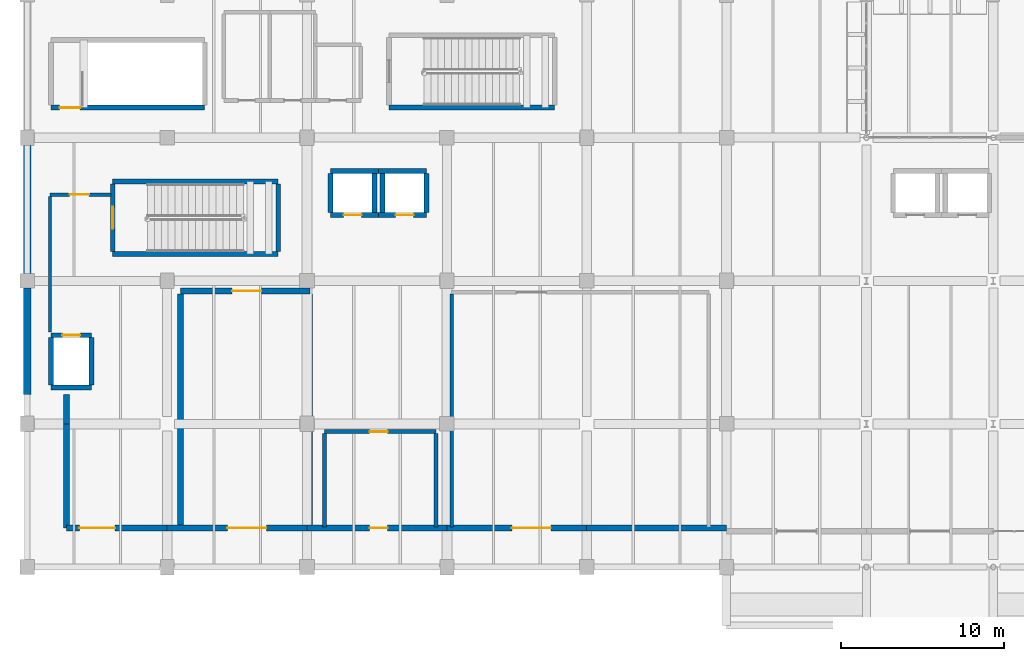
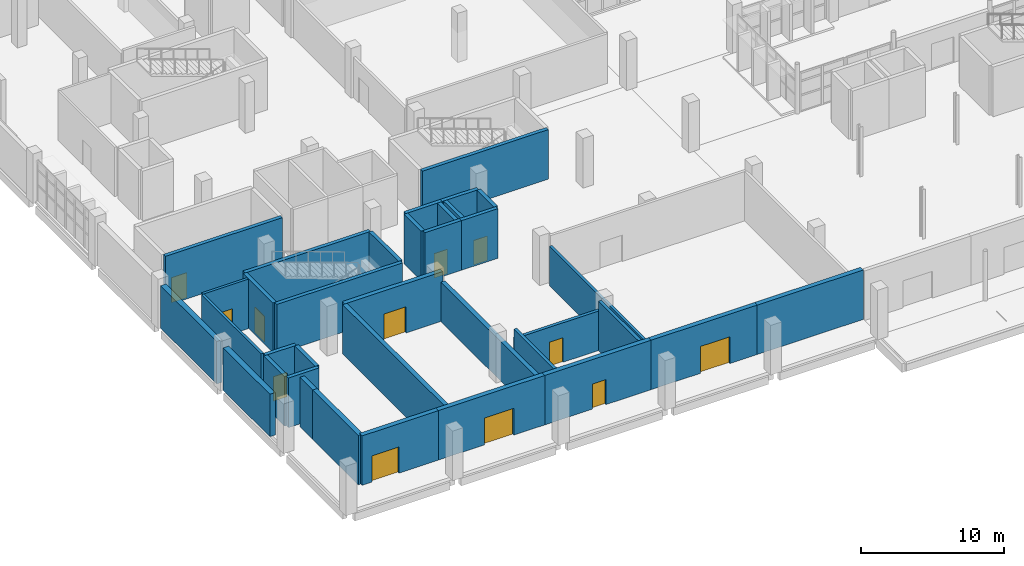
# One storey, part 57 of 76: 36 walls, 12 doors, 12 openings.
"""IFC4 building model written with IfcOpenShell, lengths in metres."""

from ifc_helpers import new_model, si_unit, direction, frame, frame_2d, origin, place, context, subcontext, project, spatial, rectangle, extrude, material, layer, layer_set, type_object, element, fill, save


model = new_model("IFC4")

# Units and contexts
model_context = context("Model", 3, precision=1e-05, world=origin(), true_north=direction((0.0, 1.0)))
body_context = subcontext(model_context, "Body", "Model", "MODEL_VIEW")
ifc_project = project(units=[si_unit("LENGTHUNIT", "METRE"), si_unit("AREAUNIT", "SQUARE_METRE"), si_unit("VOLUMEUNIT", "CUBIC_METRE"), si_unit("PLANEANGLEUNIT", "RADIAN"), si_unit("MASSUNIT", "GRAM", prefix="KILO")], contexts=[model_context])

# Site, building, storey
site_placement = place(None, origin())
site = spatial("IfcSite", under=ifc_project, at=site_placement, CompositionType="ELEMENT")
building_placement = place(site_placement, origin())
building = spatial("IfcBuilding", under=site, at=building_placement, Name="Varnakota Cinema and Media Centre", CompositionType="ELEMENT")
storey_placement = place(building_placement, origin())
storey = spatial("IfcBuildingStorey", under=building, at=storey_placement, Name="L00", CompositionType="ELEMENT", Elevation=0.0)

# Wall
ifc_material_1 = material(Name="Autoclaved aerated concrete blockwork", Category="masonry")
ifc_layer_1 = layer(ifc_material_1, 0.2099609375)
ifc_layer_set_1 = layer_set([ifc_layer_1], Name="Autoclaved aerated concrete blockwork")
wall_type_1 = type_object("IfcWallType", Name="W-ACOUST-210", PredefinedType="PARTITIONING", material=ifc_layer_set_1)
wall_1_placement = place(storey_placement, frame((1.39501953125, 14.449951171875, 0.0), z_axis=(0.0, 0.0, 1.0), x_axis=(0.0, 1.0, 0.0)))
element("IfcWall", 1, at=wall_1_placement, inside=storey, type_object=wall_type_1, Name="L00 RWALL-RM-L00-FF-1 W wall", PredefinedType="PARTITIONING", context=body_context, shape_type="SweptSolid", body=[
    extrude(rectangle(XDim=8.35009765625, YDim=0.2099609375, at=frame_2d((4.175048828125, 0.0))), origin(), (0.0, 0.0, 1.0), 4.22998046875),
])

# Wall, opening, door
wall_2_placement = place(storey_placement, frame((1.39501953125, 22.905029296875, 0.0), z_axis=(0.0, 0.0, 1.0), x_axis=(1.0, 0.0, 0.0)))
wall_2 = element("IfcWall", 2, at=wall_2_placement, inside=storey, type_object=wall_type_1, Name="L00 RWALL-RM-L00-FF-1 N wall", PredefinedType="PARTITIONING", context=body_context, shape_type="SweptSolid", body=[
    extrude(rectangle(XDim=3.760009765625, YDim=0.2099609375, at=frame_2d((1.8798828125, 0.0))), origin(), (0.0, 0.0, 1.0), 4.22998046875),
])
opening_1_placement = place(wall_2_placement, frame((1.205078125, 0.0, 0.0)))
opening_1 = element("IfcOpeningElement", 3, at=opening_1_placement, cuts=wall_2, Name="Opening D-002", PredefinedType="OPENING", context=body_context, shape_type="SweptSolid", body=[
    extrude(rectangle(XDim=1.199951171875, YDim=2.14990234375, at=frame_2d((0.60009765625, 1.074951171875))), frame((0.0, 0.10498046875, 0.0), z_axis=(0.0, -1.0, 0.0), x_axis=(1.0, 0.0, 0.0)), (0.0, 0.0, 1.0), 0.2099609375),
])
ifc_material_2 = material(Name="Thermally broken anodised aluminium AW-6063", Category="aluminium")
door_type_1 = type_object("IfcDoorType", Name="DR-STD-1200x2150", OperationType="NOTDEFINED", PredefinedType="DOOR", material=ifc_material_2)
door_1_placement = place(opening_1_placement, origin())
door_1 = element("IfcDoor", 4, at=door_1_placement, inside=storey, type_object=door_type_1, Name="L00 door D-002", OperationType="SINGLE_SWING_RIGHT", OverallHeight=2.14990234375, OverallWidth=1.199951171875, PredefinedType="DOOR", context=body_context, shape_type="SweptSolid", body=[
    extrude(rectangle(XDim=1.199951171875, YDim=2.14990234375, at=frame_2d((0.60009765625, 1.074951171875))), frame((0.0, 0.02490234375, 0.0), z_axis=(0.0, -1.0, 0.0), x_axis=(1.0, 0.0, 0.0)), (0.0, 0.0, 1.0), 0.050048828125),
])
fill(opening_1, door_1)

# Walls
wall_3_placement = place(storey_placement, frame((26.094970703125, 2.449951171875, 0.0), z_axis=(0.0, 0.0, 1.0), x_axis=(0.0, 1.0, 0.0)))
element("IfcWall", 5, at=wall_3_placement, inside=storey, type_object=wall_type_1, Name="L00 RWALL-RM-L00-CAFE W wall", PredefinedType="PARTITIONING", context=body_context, shape_type="SweptSolid", body=[
    extrude(rectangle(XDim=14.35009765625, YDim=0.2099609375, at=frame_2d((7.175048828125, 0.0))), origin(), (0.0, 0.0, 1.0), 3.3798828125),
])
ifc_material_3 = material(Name="Concrete M40", Category="concrete")
ifc_layer_2 = layer(ifc_material_3, 0.300048828125)
ifc_layer_set_2 = layer_set([ifc_layer_2], Name="Concrete M40")
wall_type_2 = type_object("IfcWallType", Name="W-CORE-300", PredefinedType="SHEAR", material=ifc_layer_set_2)
wall_4_placement = place(storey_placement, frame((15.429931640625, 19.25, 0.0), z_axis=(0.0, 0.0, 1.0), x_axis=(-1.0, 0.0, 0.0)))
element("IfcWall", 6, at=wall_4_placement, inside=storey, type_object=wall_type_2, Name="L00 CWALL-ST-01-L00 S wall", PredefinedType="SHEAR", context=body_context, shape_type="SweptSolid", body=[
    extrude(rectangle(XDim=10.179931640625, YDim=0.300048828125, at=frame_2d((5.08984375, 0.0))), origin(), (0.0, 0.0, 1.0), 4.25),
])

# Wall, opening, door
wall_5_placement = place(storey_placement, frame((5.25, 19.39990234375, 0.0), z_axis=(0.0, 0.0, 1.0), x_axis=(0.0, 1.0, 0.0)))
wall_5 = element("IfcWall", 7, at=wall_5_placement, inside=storey, type_object=wall_type_2, Name="L00 CWALL-ST-01-L00 W wall", PredefinedType="SHEAR", context=body_context, shape_type="SweptSolid", body=[
    extrude(rectangle(XDim=4.150146484375, YDim=0.300048828125, at=frame_2d((2.0751953125, 0.0))), origin(), (0.0, 0.0, 1.0), 4.25),
])
opening_2_placement = place(wall_5_placement, frame((1.39990234375, 0.0, 0.0)))
opening_2 = element("IfcOpeningElement", 8, at=opening_2_placement, cuts=wall_5, Name="Opening SD-01", PredefinedType="OPENING", context=body_context, shape_type="SweptSolid", body=[
    extrude(rectangle(XDim=1.35009765625, YDim=2.199951171875, at=frame_2d((0.675048828125, 1.10009765625))), frame((0.0, 0.14990234375, 0.0), z_axis=(0.0, -1.0, 0.0), x_axis=(1.0, 0.0, 0.0)), (0.0, 0.0, 1.0), 0.300048828125),
])
ifc_material_4 = material(Name="Thermally broken anodised aluminium AW-6063", Category="aluminium")
door_type_2 = type_object("IfcDoorType", Name="DR-STAIR-1350x2200", OperationType="NOTDEFINED", PredefinedType="DOOR", material=ifc_material_4)
door_2_placement = place(opening_2_placement, origin())
door_2 = element("IfcDoor", 9, at=door_2_placement, inside=storey, type_object=door_type_2, Name="L00 door SD-01", OperationType="SINGLE_SWING_LEFT", OverallHeight=2.199951171875, OverallWidth=1.35009765625, PredefinedType="DOOR", context=body_context, shape_type="SweptSolid", body=[
    extrude(rectangle(XDim=1.35009765625, YDim=2.199951171875, at=frame_2d((0.675048828125, 1.10009765625))), frame((0.0, 0.02490234375, 0.0), z_axis=(0.0, -1.0, 0.0), x_axis=(1.0, 0.0, 0.0)), (0.0, 0.0, 1.0), 0.050048828125),
])
fill(opening_2, door_2)

# Walls
wall_6_placement = place(storey_placement, frame((5.25, 23.699951171875, 0.0), z_axis=(0.0, 0.0, 1.0), x_axis=(1.0, 0.0, 0.0)))
element("IfcWall", 10, at=wall_6_placement, inside=storey, type_object=wall_type_2, Name="L00 CWALL-ST-01-L00 N wall", PredefinedType="SHEAR", context=body_context, shape_type="SweptSolid", body=[
    extrude(rectangle(XDim=10.179931640625, YDim=0.300048828125, at=frame_2d((5.08984375, 0.0))), origin(), (0.0, 0.0, 1.0), 4.25),
])
wall_7_placement = place(storey_placement, frame((15.429931640625, 23.550048828125, 0.0), z_axis=(0.0, 0.0, 1.0), x_axis=(0.0, -1.0, 0.0)))
element("IfcWall", 11, at=wall_7_placement, inside=storey, type_object=wall_type_2, Name="L00 CWALL-ST-01-L00 E wall", PredefinedType="SHEAR", context=body_context, shape_type="SweptSolid", body=[
    extrude(rectangle(XDim=4.150146484375, YDim=0.300048828125, at=frame_2d((2.0751953125, 0.0))), origin(), (0.0, 0.0, 1.0), 4.25),
])
wall_8_placement = place(storey_placement, frame((32.429931640625, 28.25, 0.0), z_axis=(0.0, 0.0, 1.0), x_axis=(-1.0, 0.0, 0.0)))
element("IfcWall", 12, at=wall_8_placement, inside=storey, type_object=wall_type_2, Name="L00 CWALL-ST-02-L00 S wall", PredefinedType="SHEAR", context=body_context, shape_type="SweptSolid", body=[
    extrude(rectangle(XDim=10.179931640625, YDim=0.300048828125, at=frame_2d((5.08984375, 0.0))), origin(), (0.0, 0.0, 1.0), 4.25),
])

# Wall, opening, door
wall_9_placement = place(storey_placement, frame((10.909912109375, 28.25, 0.0), z_axis=(0.0, 0.0, 1.0), x_axis=(-1.0, 0.0, 0.0)))
wall_9 = element("IfcWall", 13, at=wall_9_placement, inside=storey, type_object=wall_type_2, Name="L00 CWALL-ST-B1-L00 S wall", PredefinedType="SHEAR", context=body_context, shape_type="SweptSolid", body=[
    extrude(rectangle(XDim=9.4599609375, YDim=0.300048828125, at=frame_2d((4.72998046875, 0.0))), origin(), (0.0, 0.0, 1.0), 4.25),
])
opening_3_placement = place(wall_9_placement, frame((7.66748046875, 0.0, 0.0)))
opening_3 = element("IfcOpeningElement", 14, at=opening_3_placement, cuts=wall_9, Name="Opening SD-B1", PredefinedType="OPENING", context=body_context, shape_type="SweptSolid", body=[
    extrude(rectangle(XDim=1.25, YDim=2.14990234375, at=frame_2d((0.625, 1.074951171875))), frame((0.0, 0.14990234375, 0.0), z_axis=(0.0, -1.0, 0.0), x_axis=(1.0, 0.0, 0.0)), (0.0, 0.0, 1.0), 0.300048828125),
])
ifc_material_5 = material(Name="Thermally broken anodised aluminium AW-6063", Category="aluminium")
door_type_3 = type_object("IfcDoorType", Name="DR-STAIR-1250x2150", OperationType="NOTDEFINED", PredefinedType="DOOR", material=ifc_material_5)
door_3_placement = place(opening_3_placement, origin())
door_3 = element("IfcDoor", 15, at=door_3_placement, inside=storey, type_object=door_type_3, Name="L00 door SD-B1", OperationType="SINGLE_SWING_LEFT", OverallHeight=2.14990234375, OverallWidth=1.25, PredefinedType="DOOR", context=body_context, shape_type="SweptSolid", body=[
    extrude(rectangle(XDim=1.25, YDim=2.14990234375, at=frame_2d((0.625, 1.074951171875))), frame((0.0, 0.02490234375, 0.0), z_axis=(0.0, -1.0, 0.0), x_axis=(1.0, 0.0, 0.0)), (0.0, 0.0, 1.0), 0.050048828125),
])
fill(opening_3, door_3)

# Walls
wall_10_placement = place(storey_placement, frame((3.949951171875, 11.050048828125, 0.0), z_axis=(0.0, 0.0, 1.0), x_axis=(-1.0, 0.0, 0.0)))
element("IfcWall", 16, at=wall_10_placement, inside=storey, type_object=wall_type_2, Name="L00 LSHAFT-LF-01-L00 S wall", PredefinedType="SHEAR", context=body_context, shape_type="SweptSolid", body=[
    extrude(rectangle(XDim=2.5, YDim=0.300048828125, at=frame_2d((1.25, 0.0))), origin(), (0.0, 0.0, 1.0), 4.25),
])
wall_11_placement = place(storey_placement, frame((1.449951171875, 11.199951171875, 0.0), z_axis=(0.0, 0.0, 1.0), x_axis=(0.0, 1.0, 0.0)))
element("IfcWall", 17, at=wall_11_placement, inside=storey, type_object=wall_type_2, Name="L00 LSHAFT-LF-01-L00 W wall", PredefinedType="SHEAR", context=body_context, shape_type="SweptSolid", body=[
    extrude(rectangle(XDim=2.900146484375, YDim=0.300048828125, at=frame_2d((1.4501953125, 0.0))), origin(), (0.0, 0.0, 1.0), 4.25),
])

# Wall, opening, door
wall_12_placement = place(storey_placement, frame((1.449951171875, 14.25, 0.0), z_axis=(0.0, 0.0, 1.0), x_axis=(1.0, 0.0, 0.0)))
wall_12 = element("IfcWall", 18, at=wall_12_placement, inside=storey, type_object=wall_type_2, Name="L00 LSHAFT-LF-01-L00 N wall", PredefinedType="SHEAR", context=body_context, shape_type="SweptSolid", body=[
    extrude(rectangle(XDim=2.5, YDim=0.300048828125, at=frame_2d((1.25, 0.0))), origin(), (0.0, 0.0, 1.0), 4.25),
])
opening_4_placement = place(wall_12_placement, frame((0.699951171875, 0.0, 0.0)))
opening_4 = element("IfcOpeningElement", 19, at=opening_4_placement, cuts=wall_12, Name="Opening LD-01", PredefinedType="OPENING", context=body_context, shape_type="SweptSolid", body=[
    extrude(rectangle(XDim=1.10009765625, YDim=2.10009765625, at=frame_2d((0.550048828125, 1.050048828125))), frame((0.0, 0.14990234375, 0.0), z_axis=(0.0, -1.0, 0.0), x_axis=(1.0, 0.0, 0.0)), (0.0, 0.0, 1.0), 0.300048828125),
])
ifc_material_6 = material(Name="Thermally broken anodised aluminium AW-6063", Category="aluminium")
door_type_4 = type_object("IfcDoorType", Name="DR-LIFT-1100x2100", OperationType="SLIDING_TO_LEFT", PredefinedType="DOOR", material=ifc_material_6)
door_4_placement = place(opening_4_placement, origin())
door_4 = element("IfcDoor", 20, at=door_4_placement, inside=storey, type_object=door_type_4, Name="L00 door LD-01", OperationType="SLIDING_TO_LEFT", OverallHeight=2.10009765625, OverallWidth=1.10009765625, PredefinedType="DOOR", context=body_context, shape_type="SweptSolid", body=[
    extrude(rectangle(XDim=1.10009765625, YDim=2.10009765625, at=frame_2d((0.550048828125, 1.050048828125))), frame((0.0, 0.02490234375, 0.0), z_axis=(0.0, -1.0, 0.0), x_axis=(1.0, 0.0, 0.0)), (0.0, 0.0, 1.0), 0.050048828125),
])
fill(opening_4, door_4)

# Wall
wall_13_placement = place(storey_placement, frame((3.949951171875, 14.10009765625, 0.0), z_axis=(0.0, 0.0, 1.0), x_axis=(0.0, -1.0, 0.0)))
element("IfcWall", 21, at=wall_13_placement, inside=storey, type_object=wall_type_2, Name="L00 LSHAFT-LF-01-L00 E wall", PredefinedType="SHEAR", context=body_context, shape_type="SweptSolid", body=[
    extrude(rectangle(XDim=2.900146484375, YDim=0.300048828125, at=frame_2d((1.4501953125, 0.0))), origin(), (0.0, 0.0, 1.0), 4.25),
])

# Wall, opening, door
wall_14_placement = place(storey_placement, frame((21.60009765625, 21.64990234375, 0.0), z_axis=(0.0, 0.0, 1.0), x_axis=(-1.0, 0.0, 0.0)))
wall_14 = element("IfcWall", 22, at=wall_14_placement, inside=storey, type_object=wall_type_2, Name="L00 LSHAFT-LF-03-L00 S wall", PredefinedType="SHEAR", context=body_context, shape_type="SweptSolid", body=[
    extrude(rectangle(XDim=2.9501953125, YDim=0.300048828125, at=frame_2d((1.47509765625, 0.0))), origin(), (0.0, 0.0, 1.0), 4.25),
])
opening_5_placement = place(wall_14_placement, frame((1.050048828125, 0.0, 0.0)))
opening_5 = element("IfcOpeningElement", 23, at=opening_5_placement, cuts=wall_14, Name="Opening LD-03", PredefinedType="OPENING", context=body_context, shape_type="SweptSolid", body=[
    extrude(rectangle(XDim=1.10009765625, YDim=2.10009765625, at=frame_2d((0.550048828125, 1.050048828125))), frame((0.0, 0.14990234375, 0.0), z_axis=(0.0, -1.0, 0.0), x_axis=(1.0, 0.0, 0.0)), (0.0, 0.0, 1.0), 0.300048828125),
])
door_5_placement = place(opening_5_placement, origin())
door_5 = element("IfcDoor", 24, at=door_5_placement, inside=storey, type_object=door_type_4, Name="L00 door LD-03", OperationType="SLIDING_TO_LEFT", OverallHeight=2.10009765625, OverallWidth=1.10009765625, PredefinedType="DOOR", context=body_context, shape_type="SweptSolid", body=[
    extrude(rectangle(XDim=1.10009765625, YDim=2.10009765625, at=frame_2d((0.550048828125, 1.050048828125))), frame((0.0, 0.02490234375, 0.0), z_axis=(0.0, -1.0, 0.0), x_axis=(1.0, 0.0, 0.0)), (0.0, 0.0, 1.0), 0.050048828125),
])
fill(opening_5, door_5)

# Walls
wall_15_placement = place(storey_placement, frame((18.64990234375, 21.800048828125, 0.0), z_axis=(0.0, 0.0, 1.0), x_axis=(0.0, 1.0, 0.0)))
element("IfcWall", 25, at=wall_15_placement, inside=storey, type_object=wall_type_2, Name="L00 LSHAFT-LF-03-L00 W wall", PredefinedType="SHEAR", context=body_context, shape_type="SweptSolid", body=[
    extrude(rectangle(XDim=2.39990234375, YDim=0.300048828125, at=frame_2d((1.199951171875, 0.0))), origin(), (0.0, 0.0, 1.0), 4.25),
])
wall_16_placement = place(storey_placement, frame((18.64990234375, 24.35009765625, 0.0), z_axis=(0.0, 0.0, 1.0), x_axis=(1.0, 0.0, 0.0)))
element("IfcWall", 26, at=wall_16_placement, inside=storey, type_object=wall_type_2, Name="L00 LSHAFT-LF-03-L00 N wall", PredefinedType="SHEAR", context=body_context, shape_type="SweptSolid", body=[
    extrude(rectangle(XDim=2.9501953125, YDim=0.300048828125, at=frame_2d((1.47509765625, 0.0))), origin(), (0.0, 0.0, 1.0), 4.25),
])
wall_17_placement = place(storey_placement, frame((21.35009765625, 24.199951171875, 0.0), z_axis=(0.0, 0.0, 1.0), x_axis=(0.0, -1.0, 0.0)))
element("IfcWall", 27, at=wall_17_placement, inside=storey, type_object=wall_type_2, Name="L00 LSHAFT-LF-03-L00 E wall", PredefinedType="SHEAR", context=body_context, shape_type="SweptSolid", body=[
    extrude(rectangle(XDim=2.39990234375, YDim=0.300048828125, at=frame_2d((1.199951171875, 0.0))), origin(), (0.0, 0.0, 1.0), 4.25),
])

# Wall, opening, door
wall_18_placement = place(storey_placement, frame((24.550048828125, 21.64990234375, 0.0), z_axis=(0.0, 0.0, 1.0), x_axis=(-1.0, 0.0, 0.0)))
wall_18 = element("IfcWall", 28, at=wall_18_placement, inside=storey, type_object=wall_type_2, Name="L00 LSHAFT-LF-04-L00 S wall", PredefinedType="SHEAR", context=body_context, shape_type="SweptSolid", body=[
    extrude(rectangle(XDim=2.949951171875, YDim=0.300048828125, at=frame_2d((1.47509765625, 0.0))), origin(), (0.0, 0.0, 1.0), 4.25),
])
opening_6_placement = place(wall_18_placement, frame((0.800048828125, 0.0, 0.0)))
opening_6 = element("IfcOpeningElement", 29, at=opening_6_placement, cuts=wall_18, Name="Opening LD-04", PredefinedType="OPENING", context=body_context, shape_type="SweptSolid", body=[
    extrude(rectangle(XDim=1.10009765625, YDim=2.10009765625, at=frame_2d((0.550048828125, 1.050048828125))), frame((0.0, 0.14990234375, 0.0), z_axis=(0.0, -1.0, 0.0), x_axis=(1.0, 0.0, 0.0)), (0.0, 0.0, 1.0), 0.300048828125),
])
door_6_placement = place(opening_6_placement, origin())
door_6 = element("IfcDoor", 30, at=door_6_placement, inside=storey, type_object=door_type_4, Name="L00 door LD-04", OperationType="SLIDING_TO_LEFT", OverallHeight=2.10009765625, OverallWidth=1.10009765625, PredefinedType="DOOR", context=body_context, shape_type="SweptSolid", body=[
    extrude(rectangle(XDim=1.10009765625, YDim=2.10009765625, at=frame_2d((0.550048828125, 1.050048828125))), frame((0.0, 0.02490234375, 0.0), z_axis=(0.0, -1.0, 0.0), x_axis=(1.0, 0.0, 0.0)), (0.0, 0.0, 1.0), 0.050048828125),
])
fill(opening_6, door_6)

# Walls
wall_19_placement = place(storey_placement, frame((21.85009765625, 21.800048828125, 0.0), z_axis=(0.0, 0.0, 1.0), x_axis=(0.0, 1.0, 0.0)))
element("IfcWall", 31, at=wall_19_placement, inside=storey, type_object=wall_type_2, Name="L00 LSHAFT-LF-04-L00 W wall", PredefinedType="SHEAR", context=body_context, shape_type="SweptSolid", body=[
    extrude(rectangle(XDim=2.39990234375, YDim=0.300048828125, at=frame_2d((1.199951171875, 0.0))), origin(), (0.0, 0.0, 1.0), 4.25),
])
wall_20_placement = place(storey_placement, frame((21.60009765625, 24.35009765625, 0.0), z_axis=(0.0, 0.0, 1.0), x_axis=(1.0, 0.0, 0.0)))
element("IfcWall", 32, at=wall_20_placement, inside=storey, type_object=wall_type_2, Name="L00 LSHAFT-LF-04-L00 N wall", PredefinedType="SHEAR", context=body_context, shape_type="SweptSolid", body=[
    extrude(rectangle(XDim=2.949951171875, YDim=0.300048828125, at=frame_2d((1.47509765625, 0.0))), origin(), (0.0, 0.0, 1.0), 4.25),
])
wall_21_placement = place(storey_placement, frame((24.550048828125, 24.199951171875, 0.0), z_axis=(0.0, 0.0, 1.0), x_axis=(0.0, -1.0, 0.0)))
element("IfcWall", 33, at=wall_21_placement, inside=storey, type_object=wall_type_2, Name="L00 LSHAFT-LF-04-L00 E wall", PredefinedType="SHEAR", context=body_context, shape_type="SweptSolid", body=[
    extrude(rectangle(XDim=2.39990234375, YDim=0.300048828125, at=frame_2d((1.199951171875, 0.0))), origin(), (0.0, 0.0, 1.0), 4.25),
])
ifc_material_7 = material(Name="Deccan grey granite ashlar", Category="masonry")
ifc_layer_3 = layer(ifc_material_7, 0.3798828125)
ifc_layer_set_3 = layer_set([ifc_layer_3], Name="Deccan grey granite ashlar")
wall_type_3 = type_object("IfcWallType", Name="W-EXT-GRAN-380", PredefinedType="SOLIDWALL", material=ifc_layer_set_3)
wall_22_placement = place(storey_placement, frame((43.0, 2.39990234375, 0.0), z_axis=(0.0, 0.0, 1.0), x_axis=(-1.0, 0.0, 0.0)))
element("IfcWall", 34, at=wall_22_placement, inside=storey, type_object=wall_type_3, Name="L00 exterior wall V4-S-1", PredefinedType="SOLIDWALL", context=body_context, shape_type="SweptSolid", body=[
    extrude(rectangle(XDim=8.60009765625, YDim=0.3798828125, at=frame_2d((4.300048828125, 0.0))), origin(), (0.0, 0.0, 1.0), 4.235107421875),
])

# Wall, opening, door
wall_23_placement = place(storey_placement, frame((34.39990234375, 2.39990234375, 0.0), z_axis=(0.0, 0.0, 1.0), x_axis=(-1.0, 0.0, 0.0)))
wall_23 = element("IfcWall", 35, at=wall_23_placement, inside=storey, type_object=wall_type_3, Name="L00 exterior wall V4-S-2", PredefinedType="SOLIDWALL", context=body_context, shape_type="SweptSolid", body=[
    extrude(rectangle(XDim=8.599853515625, YDim=0.3798828125, at=frame_2d((4.2998046875, 0.0))), origin(), (0.0, 0.0, 1.0), 4.235107421875),
])
opening_7_placement = place(wall_23_placement, frame((2.199951171875, 0.0, 0.0)))
opening_7 = element("IfcOpeningElement", 36, at=opening_7_placement, cuts=wall_23, Name="Opening ED-12", PredefinedType="OPENING", context=body_context, shape_type="SweptSolid", body=[
    extrude(rectangle(XDim=2.39990234375, YDim=2.300048828125, at=frame_2d((1.199951171875, 1.14990234375))), frame((0.0, 0.18994140625, 0.0), z_axis=(0.0, -1.0, 0.0), x_axis=(1.0, 0.0, 0.0)), (0.0, 0.0, 1.0), 0.3798828125),
])
ifc_material_8 = material(Name="Anodised golden-bronze aluminium AW-6063", Category="aluminium")
door_type_5 = type_object("IfcDoorType", Name="DR-EXIT-2400x2300", OperationType="DOUBLE_DOOR_SINGLE_SWING", PredefinedType="DOOR", material=ifc_material_8)
door_7_placement = place(opening_7_placement, origin())
door_7 = element("IfcDoor", 37, at=door_7_placement, inside=storey, type_object=door_type_5, Name="L00 door ED-12", OperationType="DOUBLE_DOOR_SINGLE_SWING", OverallHeight=2.300048828125, OverallWidth=2.39990234375, PredefinedType="DOOR", context=body_context, shape_type="SweptSolid", body=[
    extrude(rectangle(XDim=2.39990234375, YDim=2.300048828125, at=frame_2d((1.199951171875, 1.14990234375))), frame((0.0, 0.02490234375, 0.0), z_axis=(0.0, -1.0, 0.0), x_axis=(1.0, 0.0, 0.0)), (0.0, 0.0, 1.0), 0.050048828125),
])
fill(opening_7, door_7)

wall_24_placement = place(storey_placement, frame((25.800048828125, 2.39990234375, 0.0), z_axis=(0.0, 0.0, 1.0), x_axis=(-1.0, 0.0, 0.0)))
wall_24 = element("IfcWall", 38, at=wall_24_placement, inside=storey, type_object=wall_type_3, Name="L00 exterior wall V4-S-3", PredefinedType="SOLIDWALL", context=body_context, shape_type="SweptSolid", body=[
    extrude(rectangle(XDim=8.60009765625, YDim=0.3798828125, at=frame_2d((4.300048828125, 0.0))), origin(), (0.0, 0.0, 1.0), 4.235107421875),
])
opening_8_placement = place(wall_24_placement, frame((3.64990234375, 0.0, 0.0)))
opening_8 = element("IfcOpeningElement", 39, at=opening_8_placement, cuts=wall_24, Name="Opening ED-09", PredefinedType="OPENING", context=body_context, shape_type="SweptSolid", body=[
    extrude(rectangle(XDim=1.10009765625, YDim=2.14990234375, at=frame_2d((0.550048828125, 1.074951171875))), frame((0.0, 0.18994140625, 0.0), z_axis=(0.0, -1.0, 0.0), x_axis=(1.0, 0.0, 0.0)), (0.0, 0.0, 1.0), 0.3798828125),
])
ifc_material_9 = material(Name="Anodised golden-bronze aluminium AW-6063", Category="aluminium")
door_type_6 = type_object("IfcDoorType", Name="DR-FCC-1100x2150", OperationType="NOTDEFINED", PredefinedType="DOOR", material=ifc_material_9)
door_8_placement = place(opening_8_placement, origin())
door_8 = element("IfcDoor", 40, at=door_8_placement, inside=storey, type_object=door_type_6, Name="L00 door ED-09", OperationType="NOTDEFINED", OverallHeight=2.14990234375, OverallWidth=1.10009765625, PredefinedType="DOOR", context=body_context, shape_type="SweptSolid", body=[
    extrude(rectangle(XDim=1.10009765625, YDim=2.14990234375, at=frame_2d((0.550048828125, 1.074951171875))), frame((0.0, 0.02490234375, 0.0), z_axis=(0.0, -1.0, 0.0), x_axis=(1.0, 0.0, 0.0)), (0.0, 0.0, 1.0), 0.050048828125),
])
fill(opening_8, door_8)

wall_25_placement = place(storey_placement, frame((17.199951171875, 2.39990234375, 0.0), z_axis=(0.0, 0.0, 1.0), x_axis=(-1.0, 0.0, 0.0)))
wall_25 = element("IfcWall", 41, at=wall_25_placement, inside=storey, type_object=wall_type_3, Name="L00 exterior wall V4-S-4", PredefinedType="SOLIDWALL", context=body_context, shape_type="SweptSolid", body=[
    extrude(rectangle(XDim=8.599853515625, YDim=0.3798828125, at=frame_2d((4.2998046875, 0.0))), origin(), (0.0, 0.0, 1.0), 4.235107421875),
])
opening_9_placement = place(wall_25_placement, frame((2.5, 0.0, 0.0)))
opening_9 = element("IfcOpeningElement", 42, at=opening_9_placement, cuts=wall_25, Name="Opening ED-11", PredefinedType="OPENING", context=body_context, shape_type="SweptSolid", body=[
    extrude(rectangle(XDim=2.39990234375, YDim=2.300048828125, at=frame_2d((1.199951171875, 1.14990234375))), frame((0.0, 0.18994140625, 0.0), z_axis=(0.0, -1.0, 0.0), x_axis=(1.0, 0.0, 0.0)), (0.0, 0.0, 1.0), 0.3798828125),
])
door_9_placement = place(opening_9_placement, origin())
door_9 = element("IfcDoor", 43, at=door_9_placement, inside=storey, type_object=door_type_5, Name="L00 door ED-11", OperationType="DOUBLE_DOOR_SINGLE_SWING", OverallHeight=2.300048828125, OverallWidth=2.39990234375, PredefinedType="DOOR", context=body_context, shape_type="SweptSolid", body=[
    extrude(rectangle(XDim=2.39990234375, YDim=2.300048828125, at=frame_2d((1.199951171875, 1.14990234375))), frame((0.0, 0.02490234375, 0.0), z_axis=(0.0, -1.0, 0.0), x_axis=(1.0, 0.0, 0.0)), (0.0, 0.0, 1.0), 0.050048828125),
])
fill(opening_9, door_9)

wall_26_placement = place(storey_placement, frame((8.60009765625, 2.39990234375, 0.0), z_axis=(0.0, 0.0, 1.0), x_axis=(-1.0, 0.0, 0.0)))
wall_26 = element("IfcWall", 44, at=wall_26_placement, inside=storey, type_object=wall_type_3, Name="L00 exterior wall V4-S-5", PredefinedType="SOLIDWALL", context=body_context, shape_type="SweptSolid", body=[
    extrude(rectangle(XDim=6.2001953125, YDim=0.3798828125, at=frame_2d((3.10009765625, 0.0))), origin(), (0.0, 0.0, 1.0), 4.235107421875),
])
opening_10_placement = place(wall_26_placement, frame((3.199951171875, 0.0, 0.0)))
opening_10 = element("IfcOpeningElement", 45, at=opening_10_placement, cuts=wall_26, Name="Opening ED-01", PredefinedType="OPENING", context=body_context, shape_type="SweptSolid", body=[
    extrude(rectangle(XDim=2.199951171875, YDim=2.25, at=frame_2d((1.10009765625, 1.125))), frame((0.0, 0.18994140625, 0.0), z_axis=(0.0, -1.0, 0.0), x_axis=(1.0, 0.0, 0.0)), (0.0, 0.0, 1.0), 0.3798828125),
])
ifc_material_10 = material(Name="Anodised golden-bronze aluminium AW-6063", Category="aluminium")
door_type_7 = type_object("IfcDoorType", Name="DR-EXIT-2200x2250", OperationType="DOUBLE_DOOR_SINGLE_SWING", PredefinedType="DOOR", material=ifc_material_10)
door_10_placement = place(opening_10_placement, origin())
door_10 = element("IfcDoor", 46, at=door_10_placement, inside=storey, type_object=door_type_7, Name="L00 door ED-01", OperationType="DOUBLE_DOOR_SINGLE_SWING", OverallHeight=2.25, OverallWidth=2.199951171875, PredefinedType="DOOR", context=body_context, shape_type="SweptSolid", body=[
    extrude(rectangle(XDim=2.199951171875, YDim=2.25, at=frame_2d((1.10009765625, 1.125))), frame((0.0, 0.02490234375, 0.0), z_axis=(0.0, -1.0, 0.0), x_axis=(1.0, 0.0, 0.0)), (0.0, 0.0, 1.0), 0.050048828125),
])
fill(opening_10, door_10)

# Walls
wall_27_placement = place(storey_placement, frame((2.39990234375, 2.39990234375, 0.0), z_axis=(0.0, 0.0, 1.0), x_axis=(0.0, 1.0, 0.0)))
element("IfcWall", 47, at=wall_27_placement, inside=storey, type_object=wall_type_3, Name="L00 exterior wall V4-W-COL-1", PredefinedType="SOLIDWALL", context=body_context, shape_type="SweptSolid", body=[
    extrude(rectangle(XDim=6.400146484375, YDim=0.3798828125, at=frame_2d((3.2001953125, 0.0))), origin(), (0.0, 0.0, 1.0), 4.235107421875),
])
wall_28_placement = place(storey_placement, frame((2.39990234375, 8.800048828125, 0.0), z_axis=(0.0, 0.0, 1.0), x_axis=(0.0, 1.0, 0.0)))
element("IfcWall", 48, at=wall_28_placement, inside=storey, type_object=wall_type_3, Name="L00 exterior wall V4-W-COL-2", PredefinedType="SOLIDWALL", context=body_context, shape_type="SweptSolid", body=[
    extrude(rectangle(XDim=1.800048828125, YDim=0.3798828125, at=frame_2d((0.89990234375, 0.0))), origin(), (0.0, 0.0, 1.0), 4.235107421875),
])
ifc_material_11 = material(Name="Deccan grey granite ashlar", Category="masonry")
ifc_layer_4 = layer(ifc_material_11, 0.43994140625)
ifc_layer_set_4 = layer_set([ifc_layer_4], Name="Deccan grey granite ashlar")
wall_type_4 = type_object("IfcWallType", Name="W-EXT-HALL-440", PredefinedType="SOLIDWALL", material=ifc_layer_set_4)
wall_29_placement = place(storey_placement, frame((0.0, 10.60009765625, 0.0), z_axis=(0.0, 0.0, 1.0), x_axis=(0.0, 1.0, 0.0)))
element("IfcWall", 49, at=wall_29_placement, inside=storey, type_object=wall_type_4, Name="L00 exterior wall V4-W-CORE-1", PredefinedType="SOLIDWALL", context=body_context, shape_type="SweptSolid", body=[
    extrude(rectangle(XDim=6.5498046875, YDim=0.43994140625, at=frame_2d((3.27490234375, 0.0))), origin(), (0.0, 0.0, 1.0), 3.635009765625),
])
wall_30_placement = place(storey_placement, frame((0.0, 18.050048828125, 0.0), z_axis=(0.0, 0.0, 1.0), x_axis=(0.0, 1.0, 0.0)))
element("IfcWall", 50, at=wall_30_placement, inside=storey, type_object=wall_type_4, Name="L00 exterior wall V4-W-CORE-2", PredefinedType="SOLIDWALL", context=body_context, shape_type="SweptSolid", body=[
    extrude(rectangle(XDim=7.875, YDim=0.43994140625, at=frame_2d((3.9375, 0.0))), origin(), (0.0, 0.0, 1.0), 3.635009765625),
])
ifc_material_12 = material(Name="Autoclaved aerated concrete blockwork", Category="masonry")
ifc_layer_5 = layer(ifc_material_12, 0.25)
ifc_layer_set_5 = layer_set([ifc_layer_5], Name="Autoclaved aerated concrete blockwork")
wall_type_5 = type_object("IfcWallType", Name="W-FIRE-250", PredefinedType="SOLIDWALL", material=ifc_layer_set_5)
wall_31_placement = place(storey_placement, frame((18.27490234375, 2.449951171875, 0.0), z_axis=(0.0, 0.0, 1.0), x_axis=(0.0, 1.0, 0.0)))
element("IfcWall", 51, at=wall_31_placement, inside=storey, type_object=wall_type_5, Name="L00 RWALL-RM-L00-FCC W wall", PredefinedType="SOLIDWALL", context=body_context, shape_type="SweptSolid", body=[
    extrude(rectangle(XDim=5.75, YDim=0.25, at=frame_2d((2.875, 0.0))), origin(), (0.0, 0.0, 1.0), 4.22998046875),
])

# Wall, opening, door
wall_32_placement = place(storey_placement, frame((18.27490234375, 8.324951171875, 0.0), z_axis=(0.0, 0.0, 1.0), x_axis=(1.0, 0.0, 0.0)))
wall_32 = element("IfcWall", 52, at=wall_32_placement, inside=storey, type_object=wall_type_5, Name="L00 RWALL-RM-L00-FCC N wall", PredefinedType="SOLIDWALL", context=body_context, shape_type="SweptSolid", body=[
    extrude(rectangle(XDim=6.85009765625, YDim=0.25, at=frame_2d((3.425048828125, 0.0))), origin(), (0.0, 0.0, 1.0), 3.3798828125),
])
opening_11_placement = place(wall_32_placement, frame((2.77490234375, 0.0, 0.0)))
opening_11 = element("IfcOpeningElement", 53, at=opening_11_placement, cuts=wall_32, Name="Opening D-046", PredefinedType="OPENING", context=body_context, shape_type="SweptSolid", body=[
    extrude(rectangle(XDim=1.10009765625, YDim=2.10009765625, at=frame_2d((0.550048828125, 1.050048828125))), frame((0.0, 0.125, 0.0), z_axis=(0.0, -1.0, 0.0), x_axis=(1.0, 0.0, 0.0)), (0.0, 0.0, 1.0), 0.25),
])
ifc_material_13 = material(Name="Thermally broken anodised aluminium AW-6063", Category="aluminium")
door_type_8 = type_object("IfcDoorType", Name="DR-STD-1100x2100", OperationType="NOTDEFINED", PredefinedType="DOOR", material=ifc_material_13)
door_11_placement = place(opening_11_placement, origin())
door_11 = element("IfcDoor", 54, at=door_11_placement, inside=storey, type_object=door_type_8, Name="L00 door D-046", OperationType="SINGLE_SWING_RIGHT", OverallHeight=2.10009765625, OverallWidth=1.10009765625, PredefinedType="DOOR", context=body_context, shape_type="SweptSolid", body=[
    extrude(rectangle(XDim=1.10009765625, YDim=2.10009765625, at=frame_2d((0.550048828125, 1.050048828125))), frame((0.0, 0.02490234375, 0.0), z_axis=(0.0, -1.0, 0.0), x_axis=(1.0, 0.0, 0.0)), (0.0, 0.0, 1.0), 0.050048828125),
])
fill(opening_11, door_11)

# Walls
wall_33_placement = place(storey_placement, frame((25.125, 8.199951171875, 0.0), z_axis=(0.0, 0.0, 1.0), x_axis=(0.0, -1.0, 0.0)))
element("IfcWall", 55, at=wall_33_placement, inside=storey, type_object=wall_type_5, Name="L00 RWALL-RM-L00-FCC E wall", PredefinedType="SOLIDWALL", context=body_context, shape_type="SweptSolid", body=[
    extrude(rectangle(XDim=5.75, YDim=0.25, at=frame_2d((2.875, 0.0))), origin(), (0.0, 0.0, 1.0), 4.22998046875),
])
ifc_material_14 = material(Name="Concrete M40", Category="concrete")
ifc_layer_6 = layer(ifc_material_14, 0.35009765625)
ifc_layer_set_6 = layer_set([ifc_layer_6], Name="Concrete M40")
wall_type_6 = type_object("IfcWallType", Name="W-SEP-350", PredefinedType="SOLIDWALL", material=ifc_layer_set_6)
wall_34_placement = place(storey_placement, frame((9.425048828125, 2.449951171875, 0.0), z_axis=(0.0, 0.0, 1.0), x_axis=(0.0, 1.0, 0.0)))
element("IfcWall", 56, at=wall_34_placement, inside=storey, type_object=wall_type_6, Name="L00 RWALL-RM-L00-SCRG W wall", PredefinedType="SOLIDWALL", context=body_context, shape_type="SweptSolid", body=[
    extrude(rectangle(XDim=14.35009765625, YDim=0.35009765625, at=frame_2d((7.175048828125, 0.0))), origin(), (0.0, 0.0, 1.0), 4.22998046875),
])

# Wall, opening, door
wall_35_placement = place(storey_placement, frame((9.425048828125, 16.97509765625, 0.0), z_axis=(0.0, 0.0, 1.0), x_axis=(1.0, 0.0, 0.0)))
wall_35 = element("IfcWall", 57, at=wall_35_placement, inside=storey, type_object=wall_type_6, Name="L00 RWALL-RM-L00-SCRG N wall", PredefinedType="SOLIDWALL", context=body_context, shape_type="SweptSolid", body=[
    extrude(rectangle(XDim=7.949951171875, YDim=0.35009765625, at=frame_2d((3.97509765625, 0.0))), origin(), (0.0, 0.0, 1.0), 4.22998046875),
])
opening_12_placement = place(wall_35_placement, frame((3.175048828125, 0.0, 0.0)))
opening_12 = element("IfcOpeningElement", 58, at=opening_12_placement, cuts=wall_35, Name="Opening D-047", PredefinedType="OPENING", context=body_context, shape_type="SweptSolid", body=[
    extrude(rectangle(XDim=1.800048828125, YDim=2.25, at=frame_2d((0.89990234375, 1.125))), frame((0.0, 0.175048828125, 0.0), z_axis=(0.0, -1.0, 0.0), x_axis=(1.0, 0.0, 0.0)), (0.0, 0.0, 1.0), 0.35009765625),
])
ifc_material_15 = material(Name="Thermally broken anodised aluminium AW-6063", Category="aluminium")
door_type_9 = type_object("IfcDoorType", Name="DR-AUD-1800x2250", OperationType="DOUBLE_DOOR_SINGLE_SWING", PredefinedType="DOOR", material=ifc_material_15)
door_12_placement = place(opening_12_placement, origin())
door_12 = element("IfcDoor", 59, at=door_12_placement, inside=storey, type_object=door_type_9, Name="L00 door D-047", OperationType="DOUBLE_DOOR_SINGLE_SWING", OverallHeight=2.25, OverallWidth=1.800048828125, PredefinedType="DOOR", context=body_context, shape_type="SweptSolid", body=[
    extrude(rectangle(XDim=1.800048828125, YDim=2.25, at=frame_2d((0.89990234375, 1.125))), frame((0.0, 0.02490234375, 0.0), z_axis=(0.0, -1.0, 0.0), x_axis=(1.0, 0.0, 0.0)), (0.0, 0.0, 1.0), 0.050048828125),
])
fill(opening_12, door_12)

# Wall
wall_36_placement = place(storey_placement, frame((17.375, 16.800048828125, 0.0), z_axis=(0.0, 0.0, 1.0), x_axis=(0.0, -1.0, 0.0)))
element("IfcWall", 60, at=wall_36_placement, inside=storey, type_object=wall_type_6, Name="L00 RWALL-RM-L00-SCRG E wall", PredefinedType="SOLIDWALL", context=body_context, shape_type="SweptSolid", body=[
    extrude(rectangle(XDim=14.35009765625, YDim=0.35009765625, at=frame_2d((7.175048828125, 0.0))), origin(), (0.0, 0.0, 1.0), 3.3798828125),
])

save(model, "model.ifc")
